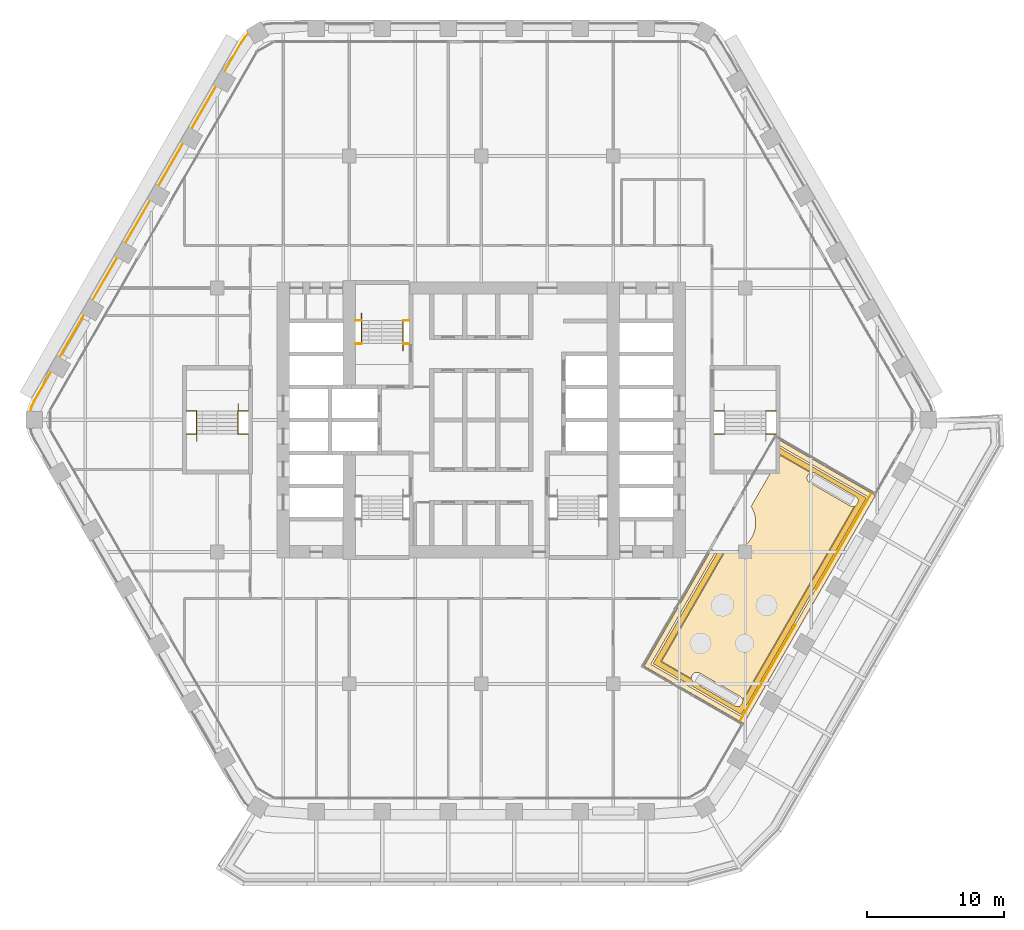
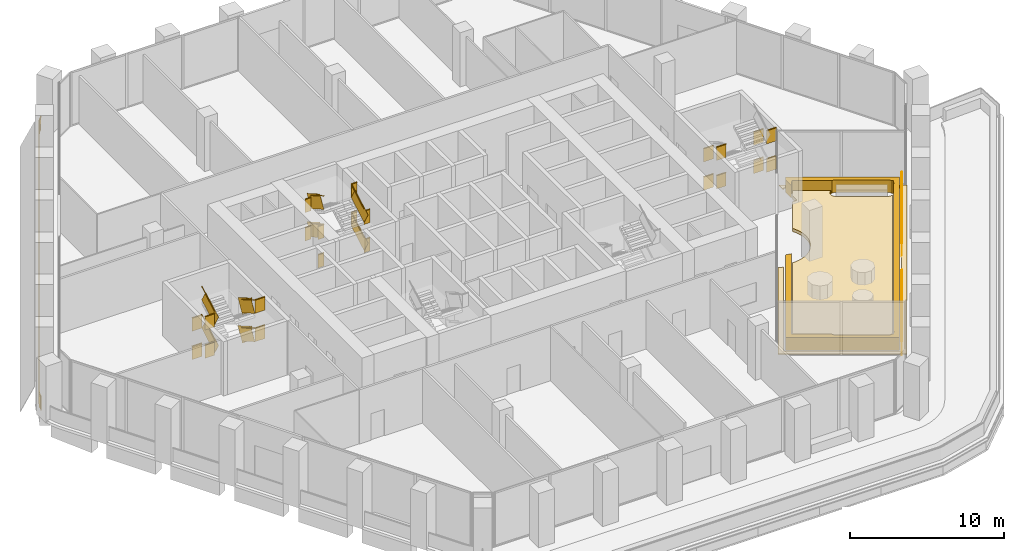
# One storey, part 24 of 25: 7 railings, 3 coverings.
"""IFC4 building model written with IfcOpenShell, lengths in metres."""

from ifc_helpers import new_model, si_unit, direction, frame, frame_2d, origin, origin_2d, place, context, subcontext, project, spatial, polyline, rectangle, outline, extrude, material, layer, layer_set, type_object, element, save


model = new_model("IFC4")

# Units and contexts
model_context = context("Model", 3, precision=1e-05, world=origin(), true_north=direction((0.0, 1.0)))
body_context = subcontext(model_context, "Body", "Model", "MODEL_VIEW")
ifc_project = project(units=[si_unit("LENGTHUNIT", "METRE"), si_unit("AREAUNIT", "SQUARE_METRE"), si_unit("VOLUMEUNIT", "CUBIC_METRE"), si_unit("PLANEANGLEUNIT", "RADIAN"), si_unit("MASSUNIT", "GRAM", prefix="KILO")], contexts=[model_context])

# Site, building, storey
site_placement = place(None, origin())
site = spatial("IfcSite", under=ifc_project, at=site_placement, CompositionType="ELEMENT")
building_placement = place(site_placement, origin())
building = spatial("IfcBuilding", under=site, at=building_placement, Name="Kolab Exchange Tower", CompositionType="ELEMENT")
storey_placement = place(building_placement, frame((0.0, 0.0, 91.39990234375)))
storey = spatial("IfcBuildingStorey", under=building, at=storey_placement, Name="L17", CompositionType="ELEMENT", Elevation=91.39990234375)

# Railings
ifc_material_1 = material(Name="Stainless steel 316", Category="steel")
railing_type_1 = type_object("IfcRailingType", Name="GUARD 1100", PredefinedType="GUARDRAIL", material=ifc_material_1)
railing_1_placement = place(storey_placement, frame((-9.14990234375, 5.550048828125, 0.0)))
element("IfcRailing", 1, at=railing_1_placement, inside=storey, type_object=railing_type_1, Name="Guard ST1", PredefinedType="GUARDRAIL", context=body_context, shape_type="SweptSolid", body=[
    extrude(rectangle(XDim=0.05, YDim=0.05, at=origin_2d()), frame((0.0, 0.0, 1.0751953125), z_axis=(1.0, 0.0, 0.0), x_axis=(0.0, 1.0, 0.0)), (0.0, 0.0, 1.0), 0.43994140625),
    extrude(rectangle(XDim=0.012, YDim=1.05009765625, at=frame_2d((0.0, 0.525146484375))), frame((0.0, 0.0, 0.0), z_axis=(1.0, 0.0, 0.0), x_axis=(0.0, 1.0, 0.0)), (0.0, 0.0, 1.0), 0.43994140625),
    extrude(rectangle(XDim=0.05, YDim=0.05, at=origin_2d()), frame((3.4599609375, 0.0, 1.0751953125), z_axis=(1.0, 0.0, 0.0), x_axis=(0.0, 1.0, 0.0)), (0.0, 0.0, 1.0), 0.43994140625),
    extrude(rectangle(XDim=0.012, YDim=1.05009765625, at=frame_2d((0.0, 0.525146484375))), frame((3.4599609375, 0.0, 0.0), z_axis=(1.0, 0.0, 0.0), x_axis=(0.0, 1.0, 0.0)), (0.0, 0.0, 1.0), 0.43994140625),
    extrude(rectangle(XDim=0.05, YDim=0.05, at=origin_2d()), frame((0.0, 1.679931640625, 2.2001953125), z_axis=(1.0, 0.0, 0.0), x_axis=(0.0, 1.0, 0.0)), (0.0, 0.0, 1.0), 0.43994140625),
    extrude(rectangle(XDim=0.012, YDim=1.05009765625, at=frame_2d((0.0, 0.525146484375))), frame((0.0, 1.679931640625, 1.125), z_axis=(1.0, 0.0, 0.0), x_axis=(0.0, 1.0, 0.0)), (0.0, 0.0, 1.0), 0.43994140625),
    extrude(rectangle(XDim=0.05, YDim=0.05, at=origin_2d()), frame((3.4599609375, 1.679931640625, 2.2001953125), z_axis=(1.0, 0.0, 0.0), x_axis=(0.0, 1.0, 0.0)), (0.0, 0.0, 1.0), 0.43994140625),
    extrude(rectangle(XDim=0.012, YDim=1.05009765625, at=frame_2d((0.0, 0.525146484375))), frame((3.4599609375, 1.679931640625, 1.125), z_axis=(1.0, 0.0, 0.0), x_axis=(0.0, 1.0, 0.0)), (0.0, 0.0, 1.0), 0.43994140625),
    extrude(rectangle(XDim=0.05, YDim=0.05, at=origin_2d()), frame((0.0, 0.0, 3.3251953125), z_axis=(1.0, 0.0, 0.0), x_axis=(0.0, 1.0, 0.0)), (0.0, 0.0, 1.0), 0.43994140625),
    extrude(rectangle(XDim=0.012, YDim=1.05009765625, at=frame_2d((0.0, 0.525146484375))), frame((0.0, 0.0, 2.25), z_axis=(1.0, 0.0, 0.0), x_axis=(0.0, 1.0, 0.0)), (0.0, 0.0, 1.0), 0.43994140625),
    extrude(rectangle(XDim=0.05, YDim=0.05, at=origin_2d()), frame((3.4599609375, 0.0, 3.3251953125), z_axis=(1.0, 0.0, 0.0), x_axis=(0.0, 1.0, 0.0)), (0.0, 0.0, 1.0), 0.43994140625),
    extrude(rectangle(XDim=0.012, YDim=1.05009765625, at=frame_2d((0.0, 0.525146484375))), frame((3.4599609375, 0.0, 2.25), z_axis=(1.0, 0.0, 0.0), x_axis=(0.0, 1.0, 0.0)), (0.0, 0.0, 1.0), 0.43994140625),
    extrude(rectangle(XDim=0.05, YDim=0.05, at=origin_2d()), frame((0.0, 1.679931640625, 4.4501953125), z_axis=(1.0, 0.0, 0.0), x_axis=(0.0, 1.0, 0.0)), (0.0, 0.0, 1.0), 0.43994140625),
    extrude(rectangle(XDim=0.012, YDim=1.05009765625, at=frame_2d((0.0, 0.525146484375))), frame((0.0, 1.679931640625, 3.375), z_axis=(1.0, 0.0, 0.0), x_axis=(0.0, 1.0, 0.0)), (0.0, 0.0, 1.0), 0.43994140625),
    extrude(rectangle(XDim=0.05, YDim=0.05, at=origin_2d()), frame((3.4599609375, 1.679931640625, 4.4501953125), z_axis=(1.0, 0.0, 0.0), x_axis=(0.0, 1.0, 0.0)), (0.0, 0.0, 1.0), 0.43994140625),
    extrude(rectangle(XDim=0.012, YDim=1.05009765625, at=frame_2d((0.0, 0.525146484375))), frame((3.4599609375, 1.679931640625, 3.375), z_axis=(1.0, 0.0, 0.0), x_axis=(0.0, 1.0, 0.0)), (0.0, 0.0, 1.0), 0.43994140625),
])
railing_2_placement = place(storey_placement, frame((-5.68994140625, 5.550048828125, 0.160888671875)))
element("IfcRailing", 2, at=railing_2_placement, inside=storey, type_object=railing_type_1, Name="Handrail guard ST1", PredefinedType="GUARDRAIL", context=body_context, shape_type="SweptSolid", body=[
    extrude(rectangle(XDim=0.05, YDim=0.05, at=origin_2d()), frame((0.0, 0.0, 1.0751953125), z_axis=(0.0, 0.867318599139, 0.497753400378), x_axis=(-1.0, 0.0, 0.0)), (0.0, 0.0, 1.0), 1.93701171875),
    extrude(rectangle(XDim=0.012, YDim=1.05009765625, at=frame_2d((0.0, 0.525146484375))), frame((0.0, 0.0, 0.0), z_axis=(0.0, 0.867318599139, 0.497753400378), x_axis=(-1.0, 0.0, 0.0)), (0.0, 0.0, 1.0), 1.93701171875),
    extrude(rectangle(XDim=0.05, YDim=0.05, at=origin_2d()), frame((-3.02001953125, 1.679931640625, 2.2001953125), z_axis=(0.0, -0.867318599139, 0.497753400378), x_axis=(1.0, 0.0, 0.0)), (0.0, 0.0, 1.0), 1.93701171875),
    extrude(rectangle(XDim=0.012, YDim=1.05009765625, at=frame_2d((0.0, 0.525146484375))), frame((-3.02001953125, 1.679931640625, 1.125), z_axis=(0.0, -0.867318599139, 0.497753400378), x_axis=(1.0, 0.0, 0.0)), (0.0, 0.0, 1.0), 1.93701171875),
    extrude(rectangle(XDim=0.05, YDim=0.05, at=origin_2d()), frame((0.0, 0.0, 3.3251953125), z_axis=(0.0, 0.867318599139, 0.497753400378), x_axis=(-1.0, 0.0, 0.0)), (0.0, 0.0, 1.0), 1.93701171875),
    extrude(rectangle(XDim=0.012, YDim=1.05009765625, at=frame_2d((0.0, 0.525146484375))), frame((0.0, 0.0, 2.25), z_axis=(0.0, 0.867318599139, 0.497753400378), x_axis=(-1.0, 0.0, 0.0)), (0.0, 0.0, 1.0), 1.93701171875),
    extrude(rectangle(XDim=0.05, YDim=0.05, at=origin_2d()), frame((-3.02001953125, 1.679931640625, 4.4501953125), z_axis=(0.0, -0.867318599139, 0.497753400378), x_axis=(1.0, 0.0, 0.0)), (0.0, 0.0, 1.0), 1.93701171875),
    extrude(rectangle(XDim=0.012, YDim=1.05009765625, at=frame_2d((0.0, 0.525146484375))), frame((-3.02001953125, 1.679931640625, 3.375), z_axis=(0.0, -0.867318599139, 0.497753400378), x_axis=(1.0, 0.0, 0.0)), (0.0, 0.0, 1.0), 1.93701171875),
])
railing_3_placement = place(storey_placement, frame((16.949951171875, 0.64990234375, 0.0)))
element("IfcRailing", 3, at=railing_3_placement, inside=storey, type_object=railing_type_1, Name="Guard ST4", PredefinedType="GUARDRAIL", context=body_context, shape_type="SweptSolid", body=[
    extrude(rectangle(XDim=0.05, YDim=0.05, at=origin_2d()), frame((0.0, 0.0, 1.0751953125), z_axis=(1.0, 0.0, 0.0), x_axis=(0.0, 1.0, 0.0)), (0.0, 0.0, 1.0), 0.739990234375),
    extrude(rectangle(XDim=0.012, YDim=1.05009765625, at=frame_2d((0.0, 0.525146484375))), frame((0.0, 0.0, 0.0), z_axis=(1.0, 0.0, 0.0), x_axis=(0.0, 1.0, 0.0)), (0.0, 0.0, 1.0), 0.739990234375),
    extrude(rectangle(XDim=0.05, YDim=0.05, at=origin_2d()), frame((3.760009765625, 0.0, 1.0751953125), z_axis=(1.0, 0.0, 0.0), x_axis=(0.0, 1.0, 0.0)), (0.0, 0.0, 1.0), 0.739990234375),
    extrude(rectangle(XDim=0.012, YDim=1.05009765625, at=frame_2d((0.0, 0.525146484375))), frame((3.760009765625, 0.0, 0.0), z_axis=(1.0, 0.0, 0.0), x_axis=(0.0, 1.0, 0.0)), (0.0, 0.0, 1.0), 0.739990234375),
    extrude(rectangle(XDim=0.05, YDim=0.05, at=origin_2d()), frame((0.0, -1.679931640625, 2.2001953125), z_axis=(1.0, 0.0, 0.0), x_axis=(0.0, 1.0, 0.0)), (0.0, 0.0, 1.0), 0.739990234375),
    extrude(rectangle(XDim=0.012, YDim=1.05009765625, at=frame_2d((0.0, 0.525146484375))), frame((0.0, -1.679931640625, 1.125), z_axis=(1.0, 0.0, 0.0), x_axis=(0.0, 1.0, 0.0)), (0.0, 0.0, 1.0), 0.739990234375),
    extrude(rectangle(XDim=0.05, YDim=0.05, at=origin_2d()), frame((3.760009765625, -1.679931640625, 2.2001953125), z_axis=(1.0, 0.0, 0.0), x_axis=(0.0, 1.0, 0.0)), (0.0, 0.0, 1.0), 0.739990234375),
    extrude(rectangle(XDim=0.012, YDim=1.05009765625, at=frame_2d((0.0, 0.525146484375))), frame((3.760009765625, -1.679931640625, 1.125), z_axis=(1.0, 0.0, 0.0), x_axis=(0.0, 1.0, 0.0)), (0.0, 0.0, 1.0), 0.739990234375),
    extrude(rectangle(XDim=0.05, YDim=0.05, at=origin_2d()), frame((0.0, 0.0, 3.3251953125), z_axis=(1.0, 0.0, 0.0), x_axis=(0.0, 1.0, 0.0)), (0.0, 0.0, 1.0), 0.739990234375),
    extrude(rectangle(XDim=0.012, YDim=1.05009765625, at=frame_2d((0.0, 0.525146484375))), frame((0.0, 0.0, 2.25), z_axis=(1.0, 0.0, 0.0), x_axis=(0.0, 1.0, 0.0)), (0.0, 0.0, 1.0), 0.739990234375),
    extrude(rectangle(XDim=0.05, YDim=0.05, at=origin_2d()), frame((3.760009765625, 0.0, 3.3251953125), z_axis=(1.0, 0.0, 0.0), x_axis=(0.0, 1.0, 0.0)), (0.0, 0.0, 1.0), 0.739990234375),
    extrude(rectangle(XDim=0.012, YDim=1.05009765625, at=frame_2d((0.0, 0.525146484375))), frame((3.760009765625, 0.0, 2.25), z_axis=(1.0, 0.0, 0.0), x_axis=(0.0, 1.0, 0.0)), (0.0, 0.0, 1.0), 0.739990234375),
    extrude(rectangle(XDim=0.05, YDim=0.05, at=origin_2d()), frame((0.0, -1.679931640625, 4.4501953125), z_axis=(1.0, 0.0, 0.0), x_axis=(0.0, 1.0, 0.0)), (0.0, 0.0, 1.0), 0.739990234375),
    extrude(rectangle(XDim=0.012, YDim=1.05009765625, at=frame_2d((0.0, 0.525146484375))), frame((0.0, -1.679931640625, 3.375), z_axis=(1.0, 0.0, 0.0), x_axis=(0.0, 1.0, 0.0)), (0.0, 0.0, 1.0), 0.739990234375),
    extrude(rectangle(XDim=0.05, YDim=0.05, at=origin_2d()), frame((3.760009765625, -1.679931640625, 4.4501953125), z_axis=(1.0, 0.0, 0.0), x_axis=(0.0, 1.0, 0.0)), (0.0, 0.0, 1.0), 0.739990234375),
    extrude(rectangle(XDim=0.012, YDim=1.05009765625, at=frame_2d((0.0, 0.525146484375))), frame((3.760009765625, -1.679931640625, 3.375), z_axis=(1.0, 0.0, 0.0), x_axis=(0.0, 1.0, 0.0)), (0.0, 0.0, 1.0), 0.739990234375),
])
railing_4_placement = place(storey_placement, frame((-21.449951171875, 0.64990234375, 0.0)))
element("IfcRailing", 4, at=railing_4_placement, inside=storey, type_object=railing_type_1, Name="Guard ST5", PredefinedType="GUARDRAIL", context=body_context, shape_type="SweptSolid", body=[
    extrude(rectangle(XDim=0.05, YDim=0.05, at=origin_2d()), frame((0.0, 0.0, 1.0751953125), z_axis=(1.0, 0.0, 0.0), x_axis=(0.0, 1.0, 0.0)), (0.0, 0.0, 1.0), 0.739990234375),
    extrude(rectangle(XDim=0.012, YDim=1.05009765625, at=frame_2d((0.0, 0.525146484375))), frame((0.0, 0.0, 0.0), z_axis=(1.0, 0.0, 0.0), x_axis=(0.0, 1.0, 0.0)), (0.0, 0.0, 1.0), 0.739990234375),
    extrude(rectangle(XDim=0.05, YDim=0.05, at=origin_2d()), frame((3.760009765625, 0.0, 1.0751953125), z_axis=(1.0, 0.0, 0.0), x_axis=(0.0, 1.0, 0.0)), (0.0, 0.0, 1.0), 0.739990234375),
    extrude(rectangle(XDim=0.012, YDim=1.05009765625, at=frame_2d((0.0, 0.525146484375))), frame((3.760009765625, 0.0, 0.0), z_axis=(1.0, 0.0, 0.0), x_axis=(0.0, 1.0, 0.0)), (0.0, 0.0, 1.0), 0.739990234375),
    extrude(rectangle(XDim=0.05, YDim=0.05, at=origin_2d()), frame((0.0, -1.679931640625, 2.2001953125), z_axis=(1.0, 0.0, 0.0), x_axis=(0.0, 1.0, 0.0)), (0.0, 0.0, 1.0), 0.739990234375),
    extrude(rectangle(XDim=0.012, YDim=1.05009765625, at=frame_2d((0.0, 0.525146484375))), frame((0.0, -1.679931640625, 1.125), z_axis=(1.0, 0.0, 0.0), x_axis=(0.0, 1.0, 0.0)), (0.0, 0.0, 1.0), 0.739990234375),
    extrude(rectangle(XDim=0.05, YDim=0.05, at=origin_2d()), frame((3.760009765625, -1.679931640625, 2.2001953125), z_axis=(1.0, 0.0, 0.0), x_axis=(0.0, 1.0, 0.0)), (0.0, 0.0, 1.0), 0.739990234375),
    extrude(rectangle(XDim=0.012, YDim=1.05009765625, at=frame_2d((0.0, 0.525146484375))), frame((3.760009765625, -1.679931640625, 1.125), z_axis=(1.0, 0.0, 0.0), x_axis=(0.0, 1.0, 0.0)), (0.0, 0.0, 1.0), 0.739990234375),
    extrude(rectangle(XDim=0.05, YDim=0.05, at=origin_2d()), frame((0.0, 0.0, 3.3251953125), z_axis=(1.0, 0.0, 0.0), x_axis=(0.0, 1.0, 0.0)), (0.0, 0.0, 1.0), 0.739990234375),
    extrude(rectangle(XDim=0.012, YDim=1.05009765625, at=frame_2d((0.0, 0.525146484375))), frame((0.0, 0.0, 2.25), z_axis=(1.0, 0.0, 0.0), x_axis=(0.0, 1.0, 0.0)), (0.0, 0.0, 1.0), 0.739990234375),
    extrude(rectangle(XDim=0.05, YDim=0.05, at=origin_2d()), frame((3.760009765625, 0.0, 3.3251953125), z_axis=(1.0, 0.0, 0.0), x_axis=(0.0, 1.0, 0.0)), (0.0, 0.0, 1.0), 0.739990234375),
    extrude(rectangle(XDim=0.012, YDim=1.05009765625, at=frame_2d((0.0, 0.525146484375))), frame((3.760009765625, 0.0, 2.25), z_axis=(1.0, 0.0, 0.0), x_axis=(0.0, 1.0, 0.0)), (0.0, 0.0, 1.0), 0.739990234375),
    extrude(rectangle(XDim=0.05, YDim=0.05, at=origin_2d()), frame((0.0, -1.679931640625, 4.4501953125), z_axis=(1.0, 0.0, 0.0), x_axis=(0.0, 1.0, 0.0)), (0.0, 0.0, 1.0), 0.739990234375),
    extrude(rectangle(XDim=0.012, YDim=1.05009765625, at=frame_2d((0.0, 0.525146484375))), frame((0.0, -1.679931640625, 3.375), z_axis=(1.0, 0.0, 0.0), x_axis=(0.0, 1.0, 0.0)), (0.0, 0.0, 1.0), 0.739990234375),
    extrude(rectangle(XDim=0.05, YDim=0.05, at=origin_2d()), frame((3.760009765625, -1.679931640625, 4.4501953125), z_axis=(1.0, 0.0, 0.0), x_axis=(0.0, 1.0, 0.0)), (0.0, 0.0, 1.0), 0.739990234375),
    extrude(rectangle(XDim=0.012, YDim=1.05009765625, at=frame_2d((0.0, 0.525146484375))), frame((3.760009765625, -1.679931640625, 3.375), z_axis=(1.0, 0.0, 0.0), x_axis=(0.0, 1.0, 0.0)), (0.0, 0.0, 1.0), 0.739990234375),
])
railing_5_placement = place(storey_placement, frame((-17.68994140625, 0.64990234375, 0.160888671875)))
element("IfcRailing", 5, at=railing_5_placement, inside=storey, type_object=railing_type_1, Name="Handrail guard ST5", PredefinedType="GUARDRAIL", context=body_context, shape_type="SweptSolid", body=[
    extrude(rectangle(XDim=0.05, YDim=0.05, at=origin_2d()), frame((0.0, 0.0, 1.0751953125), z_axis=(0.0, -0.867318599139, 0.497753400378), x_axis=(1.0, 0.0, 0.0)), (0.0, 0.0, 1.0), 1.93701171875),
    extrude(rectangle(XDim=0.012, YDim=1.05009765625, at=frame_2d((0.0, 0.525146484375))), frame((0.0, 0.0, 0.0), z_axis=(0.0, -0.867318599139, 0.497753400378), x_axis=(1.0, 0.0, 0.0)), (0.0, 0.0, 1.0), 1.93701171875),
    extrude(rectangle(XDim=0.05, YDim=0.05, at=origin_2d()), frame((-3.02001953125, -1.679931640625, 2.2001953125), z_axis=(0.0, 0.867318599139, 0.497753400378), x_axis=(-1.0, 0.0, 0.0)), (0.0, 0.0, 1.0), 1.93701171875),
    extrude(rectangle(XDim=0.012, YDim=1.05009765625, at=frame_2d((0.0, 0.525146484375))), frame((-3.02001953125, -1.679931640625, 1.125), z_axis=(0.0, 0.867318599139, 0.497753400378), x_axis=(-1.0, 0.0, 0.0)), (0.0, 0.0, 1.0), 1.93701171875),
    extrude(rectangle(XDim=0.05, YDim=0.05, at=origin_2d()), frame((0.0, 0.0, 3.3251953125), z_axis=(0.0, -0.867318599139, 0.497753400378), x_axis=(1.0, 0.0, 0.0)), (0.0, 0.0, 1.0), 1.93701171875),
    extrude(rectangle(XDim=0.012, YDim=1.05009765625, at=frame_2d((0.0, 0.525146484375))), frame((0.0, 0.0, 2.25), z_axis=(0.0, -0.867318599139, 0.497753400378), x_axis=(1.0, 0.0, 0.0)), (0.0, 0.0, 1.0), 1.93701171875),
    extrude(rectangle(XDim=0.05, YDim=0.05, at=origin_2d()), frame((-3.02001953125, -1.679931640625, 4.4501953125), z_axis=(0.0, 0.867318599139, 0.497753400378), x_axis=(-1.0, 0.0, 0.0)), (0.0, 0.0, 1.0), 1.93701171875),
    extrude(rectangle(XDim=0.012, YDim=1.05009765625, at=frame_2d((0.0, 0.525146484375))), frame((-3.02001953125, -1.679931640625, 3.375), z_axis=(0.0, 0.867318599139, 0.497753400378), x_axis=(-1.0, 0.0, 0.0)), (0.0, 0.0, 1.0), 1.93701171875),
])
ifc_material_2 = material(Name="Steel S235", Category="steel")
railing_type_2 = type_object("IfcRailingType", Name="GUARD 1100 GLASS BALUSTRADE AND STEEL TOP RAIL", PredefinedType="GUARDRAIL", material=ifc_material_2)
railing_6_placement = place(storey_placement, frame((-16.9208984375, 28.119873046875, 0.0)))
element("IfcRailing", 6, at=railing_6_placement, inside=storey, type_object=railing_type_2, Name="Guard", PredefinedType="GUARDRAIL", context=body_context, shape_type="SweptSolid", body=[
    extrude(rectangle(XDim=0.05, YDim=0.05, at=origin_2d()), frame((0.0, 0.0, 1.0751953125), z_axis=(-0.707106781187, -0.707106781187, 0.0), x_axis=(0.707106781187, -0.707106781187, 0.0)), (0.0, 0.0, 1.0), 0.358642578125),
    extrude(rectangle(XDim=0.012, YDim=1.05009765625, at=frame_2d((0.0, 0.525146484375))), frame((0.0, 0.0, 0.0), z_axis=(-0.707106781187, -0.707106781187, 0.0), x_axis=(0.707106781187, -0.707106781187, 0.0)), (0.0, 0.0, 1.0), 0.358642578125),
    extrude(rectangle(XDim=0.05, YDim=0.05, at=origin_2d()), frame((-0.253662109375, -0.253662109375, 1.0751953125), z_axis=(-0.573359816273, -0.819303680624, 0.0), x_axis=(0.819303680624, -0.573359816273, 0.0)), (0.0, 0.0, 1.0), 0.4794921875),
    extrude(rectangle(XDim=0.012, YDim=1.05009765625, at=frame_2d((0.0, 0.525146484375))), frame((-0.253662109375, -0.253662109375, 0.0), z_axis=(-0.573359816273, -0.819303680624, 0.0), x_axis=(0.819303680624, -0.573359816273, 0.0)), (0.0, 0.0, 1.0), 0.4794921875),
    extrude(rectangle(XDim=0.05, YDim=0.05, at=origin_2d()), frame((-0.528564453125, -0.646484375, 1.0751953125), z_axis=(-0.500064973171, -0.865987888257, 0.0), x_axis=(0.865987888257, -0.500064973171, 0.0)), (0.0, 0.0, 1.0), 2.468017578125),
    extrude(rectangle(XDim=0.012, YDim=1.05009765625, at=frame_2d((0.0, 0.525146484375))), frame((-0.528564453125, -0.646484375, 0.0), z_axis=(-0.500064973171, -0.865987888257, 0.0), x_axis=(0.865987888257, -0.500064973171, 0.0)), (0.0, 0.0, 1.0), 2.468017578125),
    extrude(rectangle(XDim=0.05, YDim=0.05, at=origin_2d()), frame((-2.362548828125, -3.822998046875, 1.0751953125), z_axis=(-0.500012057535, -0.866018442252, 0.0), x_axis=(0.866018442252, -0.500012057535, 0.0)), (0.0, 0.0, 1.0), 3.60009765625),
    extrude(rectangle(XDim=0.012, YDim=1.05009765625, at=frame_2d((0.0, 0.525146484375))), frame((-2.362548828125, -3.822998046875, 0.0), z_axis=(-0.500012057535, -0.866018442252, 0.0), x_axis=(0.866018442252, -0.500012057535, 0.0)), (0.0, 0.0, 1.0), 3.60009765625),
    extrude(rectangle(XDim=0.05, YDim=0.05, at=origin_2d()), frame((-4.7626953125, -7.97998046875, 1.0751953125), z_axis=(-0.499961193289, -0.866047807691, 0.0), x_axis=(0.866047807691, -0.499961193289, 0.0)), (0.0, 0.0, 1.0), 3.599853515625),
    extrude(rectangle(XDim=0.012, YDim=1.05009765625, at=frame_2d((0.0, 0.525146484375))), frame((-4.7626953125, -7.97998046875, 0.0), z_axis=(-0.499961193289, -0.866047807691, 0.0), x_axis=(0.866047807691, -0.499961193289, 0.0)), (0.0, 0.0, 1.0), 3.599853515625),
    extrude(rectangle(XDim=0.05, YDim=0.05, at=origin_2d()), frame((-7.16259765625, -12.13671875, 1.0751953125), z_axis=(-0.500012057535, -0.866018442252, 0.0), x_axis=(0.866018442252, -0.500012057535, 0.0)), (0.0, 0.0, 1.0), 3.60009765625),
    extrude(rectangle(XDim=0.012, YDim=1.05009765625, at=frame_2d((0.0, 0.525146484375))), frame((-7.16259765625, -12.13671875, 0.0), z_axis=(-0.500012057535, -0.866018442252, 0.0), x_axis=(0.866018442252, -0.500012057535, 0.0)), (0.0, 0.0, 1.0), 3.60009765625),
    extrude(rectangle(XDim=0.05, YDim=0.05, at=origin_2d()), frame((-9.5625, -16.293701171875, 1.0751953125), z_axis=(-0.500012057535, -0.866018442252, 0.0), x_axis=(0.866018442252, -0.500012057535, 0.0)), (0.0, 0.0, 1.0), 3.60009765625),
    extrude(rectangle(XDim=0.012, YDim=1.05009765625, at=frame_2d((0.0, 0.525146484375))), frame((-9.5625, -16.293701171875, 0.0), z_axis=(-0.500012057535, -0.866018442252, 0.0), x_axis=(0.866018442252, -0.500012057535, 0.0)), (0.0, 0.0, 1.0), 3.60009765625),
    extrude(rectangle(XDim=0.05, YDim=0.05, at=origin_2d()), frame((-11.962646484375, -20.45068359375, 1.0751953125), z_axis=(-0.500012057535, -0.866018442252, 0.0), x_axis=(0.866018442252, -0.500012057535, 0.0)), (0.0, 0.0, 1.0), 3.60009765625),
    extrude(rectangle(XDim=0.012, YDim=1.05009765625, at=frame_2d((0.0, 0.525146484375))), frame((-11.962646484375, -20.45068359375, 0.0), z_axis=(-0.500012057535, -0.866018442252, 0.0), x_axis=(0.866018442252, -0.500012057535, 0.0)), (0.0, 0.0, 1.0), 3.60009765625),
    extrude(rectangle(XDim=0.05, YDim=0.05, at=origin_2d()), frame((-14.362548828125, -24.607666015625, 1.0751953125), z_axis=(-0.500064973171, -0.865987888257, 0.0), x_axis=(0.865987888257, -0.500064973171, 0.0)), (0.0, 0.0, 1.0), 2.468017578125),
    extrude(rectangle(XDim=0.012, YDim=1.05009765625, at=frame_2d((0.0, 0.525146484375))), frame((-14.362548828125, -24.607666015625, 0.0), z_axis=(-0.500064973171, -0.865987888257, 0.0), x_axis=(0.865987888257, -0.500064973171, 0.0)), (0.0, 0.0, 1.0), 2.468017578125),
    extrude(rectangle(XDim=0.05, YDim=0.05, at=origin_2d()), frame((-15.5966796875, -26.744873046875, 1.0751953125), z_axis=(-0.422383329074, -0.906417300872, 0.0), x_axis=(0.906417300872, -0.422383329074, 0.0)), (0.0, 0.0, 1.0), 0.479248046875),
    extrude(rectangle(XDim=0.012, YDim=1.05009765625, at=frame_2d((0.0, 0.525146484375))), frame((-15.5966796875, -26.744873046875, 0.0), z_axis=(-0.422383329074, -0.906417300872, 0.0), x_axis=(0.906417300872, -0.422383329074, 0.0)), (0.0, 0.0, 1.0), 0.479248046875),
    extrude(rectangle(XDim=0.05, YDim=0.05, at=origin_2d()), frame((-15.799072265625, -27.17919921875, 1.0751953125), z_axis=(-0.259144041577, -0.965838685141, 0.0), x_axis=(0.965838685141, -0.259144041577, 0.0)), (0.0, 0.0, 1.0), 0.35888671875),
    extrude(rectangle(XDim=0.012, YDim=1.05009765625, at=frame_2d((0.0, 0.525146484375))), frame((-15.799072265625, -27.17919921875, 0.0), z_axis=(-0.259144041577, -0.965838685141, 0.0), x_axis=(0.965838685141, -0.259144041577, 0.0)), (0.0, 0.0, 1.0), 0.35888671875),
])
railing_7_placement = place(storey_placement, frame((28.41796875, -5.275634765625, 0.0)))
element("IfcRailing", 7, at=railing_7_placement, inside=storey, type_object=railing_type_2, Name="Terrace guard", PredefinedType="GUARDRAIL", context=body_context, shape_type="SweptSolid", body=[
    extrude(rectangle(XDim=0.05, YDim=0.05, at=origin_2d()), frame((0.0, 0.0, 1.0751953125), z_axis=(-0.500000246922, -0.866025261224, 0.0), x_axis=(0.866025261224, -0.500000246922, 0.0)), (0.0, 0.0, 1.0), 8.14013671875),
    extrude(rectangle(XDim=0.012, YDim=1.05009765625, at=frame_2d((0.0, 0.525146484375))), frame((0.0, 0.0, 0.0), z_axis=(-0.500000246922, -0.866025261224, 0.0), x_axis=(0.866025261224, -0.500000246922, 0.0)), (0.0, 0.0, 1.0), 8.14013671875),
    extrude(rectangle(XDim=0.05, YDim=0.05, at=origin_2d()), frame((-9.64013671875, -16.697021484375, 1.0751953125), z_axis=(0.500013234218, 0.86601776287, 0.0), x_axis=(-0.86601776287, 0.500013234218, 0.0)), (0.0, 0.0, 1.0), 8.139892578125),
    extrude(rectangle(XDim=0.012, YDim=1.05009765625, at=frame_2d((0.0, 0.525146484375))), frame((-9.64013671875, -16.697021484375, 0.0), z_axis=(0.500013234218, 0.86601776287, 0.0), x_axis=(-0.86601776287, 0.500013234218, 0.0)), (0.0, 0.0, 1.0), 8.139892578125),
])

# Coverings
ifc_material_3 = material(Name="Planting soil and turf", Category="soil")
ifc_layer_1 = layer(ifc_material_3, 0.25)
ifc_layer_set_1 = layer_set([ifc_layer_1], Name="Planting soil and turf")
covering_type_1 = type_object("IfcCoveringType", Name="PLANTING SOIL AND TURF 250", PredefinedType="USERDEFINED", material=ifc_layer_set_1)
covering_1_placement = place(storey_placement, origin())
element("IfcCovering", 8, at=covering_1_placement, inside=storey, type_object=covering_type_1, Name="Planting soil and turf", ObjectType="PLANTING", PredefinedType="USERDEFINED", context=body_context, shape_type="SweptSolid", body=[
    extrude(outline(polyline([(23.954833984375, -3.842041015625), (23.923095703125, -3.85595703125), (23.888671875, -3.875), (23.8564453125, -3.897216796875), (23.826416015625, -3.922607421875), (23.799072265625, -3.950927734375), (23.77490234375, -3.981689453125), (23.75341796875, -4.0146484375), (23.735595703125, -4.049560546875), (23.72119140625, -4.0859375), (23.71044921875, -4.123779296875), (23.703369140625, -4.162353515625), (23.7001953125, -4.201416015625), (23.70068359375, -4.24072265625), (23.705322265625, -4.27978515625), (23.713623046875, -4.318115234375), (23.7255859375, -4.35546875), (23.7412109375, -4.3916015625), (23.76025390625, -4.42578125), (23.782470703125, -4.4580078125), (23.807861328125, -4.488037109375), (23.836181640625, -4.515380859375), (23.866943359375, -4.539794921875), (23.89990234375, -4.56103515625), (26.809814453125, -6.240966796875), (26.8447265625, -6.259033203125), (26.881103515625, -6.2734375), (26.9189453125, -6.2841796875), (26.95751953125, -6.291259765625), (26.99658203125, -6.29443359375), (27.035888671875, -6.293701171875), (27.074951171875, -6.289306640625), (27.11328125, -6.281005859375), (27.150634765625, -6.26904296875), (27.15185546875, -6.2685546875), (19.004638671875, -20.380126953125), (19.00439453125, -20.378662109375), (18.99609375, -20.34033203125), (18.984130859375, -20.302978515625), (18.968505859375, -20.266845703125), (18.949462890625, -20.232666015625), (18.927001953125, -20.200439453125), (18.901611328125, -20.17041015625), (18.87353515625, -20.14306640625), (18.8427734375, -20.11865234375), (18.809814453125, -20.097412109375), (15.89990234375, -18.41748046875), (15.864990234375, -18.3994140625), (15.82861328125, -18.385009765625), (15.790771484375, -18.374267578125), (15.752197265625, -18.3671875), (15.713134765625, -18.364013671875), (15.673828125, -18.36474609375), (15.634765625, -18.369140625), (15.596435546875, -18.37744140625), (15.55908203125, -18.389404296875), (15.52294921875, -18.405029296875), (15.48876953125, -18.424072265625), (15.456298828125, -18.446533203125), (15.426513671875, -18.471923828125), (15.399169921875, -18.5), (15.374755859375, -18.53076171875), (15.353515625, -18.563720703125), (15.335693359375, -18.598876953125), (15.321044921875, -18.63525390625), (15.310302734375, -18.673095703125), (15.303466796875, -18.711669921875), (15.300048828125, -18.750732421875), (15.30078125, -18.7900390625), (15.3046875, -18.824462890625), (13.1240234375, -17.5654296875), (17.6884765625, -9.65966796875), (17.76708984375, -9.663330078125), (17.982666015625, -9.65283203125), (18.1962890625, -9.62109375), (18.40576171875, -9.568603515625), (18.60888671875, -9.49609375), (18.80419921875, -9.403564453125), (18.9892578125, -9.292724609375), (19.162841796875, -9.1640625), (19.32275390625, -9.01904296875), (19.4677734375, -8.859130859375), (19.59619140625, -8.685791015625), (19.707275390625, -8.50048828125), (19.799560546875, -8.305419921875), (19.872314453125, -8.10205078125), (19.9248046875, -7.892578125), (19.95654296875, -7.67919921875), (19.967041015625, -7.46337890625), (19.95654296875, -7.247802734375), (19.9248046875, -7.0341796875), (19.872314453125, -6.82470703125), (19.799560546875, -6.62158203125), (19.707275390625, -6.42626953125), (19.6298828125, -6.297119140625), (21.146484375, -3.669921875), (21.449951171875, -3.669921875), (21.451904296875, -3.669921875), (21.453857421875, -3.669677734375), (21.455810546875, -3.669189453125), (21.457763671875, -3.66845703125), (21.45947265625, -3.667724609375), (21.461181640625, -3.666748046875), (21.462646484375, -3.66552734375), (21.464111328125, -3.6640625), (21.465576171875, -3.66259765625), (21.466552734375, -3.6611328125), (21.467529296875, -3.659423828125), (21.468505859375, -3.65771484375), (21.46923828125, -3.65576171875), (21.4697265625, -3.65380859375), (21.469970703125, -3.65185546875), (21.469970703125, -3.64990234375), (21.469970703125, -3.10986328125), (21.774169921875, -2.5830078125), (23.954833984375, -3.842041015625)])), origin(), (0.0, 0.0, 1.0), 0.25),
])
ifc_material_4 = material(Name="Limestone coping", Category="masonry")
ifc_layer_2 = layer(ifc_material_4, 0.050048828125)
ifc_layer_set_2 = layer_set([ifc_layer_2], Name="Limestone coping")
covering_type_2 = type_object("IfcCoveringType", Name="TERRACE EDGE BAND LIMESTONE 50", PredefinedType="CLADDING", material=ifc_layer_set_2)
covering_2_placement = place(storey_placement, origin())
element("IfcCovering", 9, at=covering_2_placement, inside=storey, type_object=covering_type_2, Name="Terrace edge band", PredefinedType="CLADDING", context=body_context, shape_type="SweptSolid", body=[
    extrude(outline(polyline([(19.09375, -22.085693359375), (11.853759765625, -17.90576171875), (16.75537109375, -9.415771484375), (16.925048828125, -9.49609375), (17.0810546875, -9.5517578125), (12.331787109375, -17.777587890625), (18.965576171875, -21.607666015625), (28.195556640625, -5.620849609375), (21.561767578125, -1.790771484375), (21.469970703125, -1.94970703125), (21.469970703125, -1.333740234375), (28.673583984375, -5.49267578125), (19.09375, -22.085693359375)])), origin(), (0.0, 0.0, 1.0), 0.050048828125),
])
ifc_material_5 = material(Name="Terrace hedge planting", Category="soil")
ifc_layer_3 = layer(ifc_material_5, 1.0)
ifc_layer_set_3 = layer_set([ifc_layer_3], Name="Terrace hedge planting")
covering_type_3 = type_object("IfcCoveringType", Name="TERRACE HEDGE 1000 X 400", PredefinedType="USERDEFINED", material=ifc_layer_set_3)
covering_3_placement = place(storey_placement, origin())
element("IfcCovering", 10, at=covering_3_placement, inside=storey, type_object=covering_type_3, Name="Terrace hedge", ObjectType="PLANTING", PredefinedType="USERDEFINED", context=body_context, shape_type="SweptSolid", body=[
    extrude(outline(polyline([(18.91796875, -21.43017578125), (12.50927734375, -17.72998046875), (17.20947265625, -9.589111328125), (17.337890625, -9.62109375), (17.551513671875, -9.65283203125), (17.63232421875, -9.65673828125), (13.0556640625, -17.583740234375), (15.3212890625, -18.8916015625), (15.32568359375, -18.90478515625), (15.341064453125, -18.940673828125), (15.3603515625, -18.97509765625), (15.382568359375, -19.00732421875), (15.407958984375, -19.037353515625), (15.436279296875, -19.064697265625), (15.467041015625, -19.0888671875), (15.5, -19.1103515625), (18.40966796875, -20.790283203125), (18.444580078125, -20.80810546875), (18.481201171875, -20.822509765625), (18.51904296875, -20.83349609375), (18.5576171875, -20.84033203125), (18.5966796875, -20.843505859375), (18.635986328125, -20.843017578125), (18.675048828125, -20.83837890625), (18.688232421875, -20.835693359375), (18.771484375, -20.883544921875), (18.8349609375, -20.77392578125), (18.853271484375, -20.76123046875), (18.88330078125, -20.73583984375), (18.910400390625, -20.70751953125), (18.934814453125, -20.6767578125), (18.956298828125, -20.643798828125), (18.97412109375, -20.60888671875), (18.988525390625, -20.572509765625), (18.999267578125, -20.53466796875), (19.00634765625, -20.49609375), (19.008056640625, -20.473876953125), (27.23486328125, -6.224609375), (27.253173828125, -6.2119140625), (27.283203125, -6.1865234375), (27.310546875, -6.158447265625), (27.3349609375, -6.127685546875), (27.356201171875, -6.0947265625), (27.3740234375, -6.059814453125), (27.388427734375, -6.023193359375), (27.3994140625, -5.9853515625), (27.40625, -5.94677734375), (27.408203125, -5.924560546875), (27.471435546875, -5.814697265625), (27.388427734375, -5.766845703125), (27.384033203125, -5.753662109375), (27.368408203125, -5.7177734375), (27.349365234375, -5.683349609375), (27.3271484375, -5.651123046875), (27.3017578125, -5.62109375), (27.2734375, -5.593994140625), (27.24267578125, -5.569580078125), (27.209716796875, -5.548095703125), (24.2998046875, -3.8681640625), (24.264892578125, -3.850341796875), (24.228515625, -3.8359375), (24.190673828125, -3.824951171875), (24.152099609375, -3.818115234375), (24.113037109375, -3.81494140625), (24.07373046875, -3.8154296875), (24.03466796875, -3.820068359375), (24.021484375, -3.82275390625), (21.755859375, -2.514892578125), (21.469970703125, -3.009765625), (21.469970703125, -2.209716796875), (21.609375, -1.968505859375), (28.01806640625, -5.66845703125), (18.91796875, -21.43017578125)])), origin(), (0.0, 0.0, 1.0), 1.0),
])

save(model, "model.ifc")
